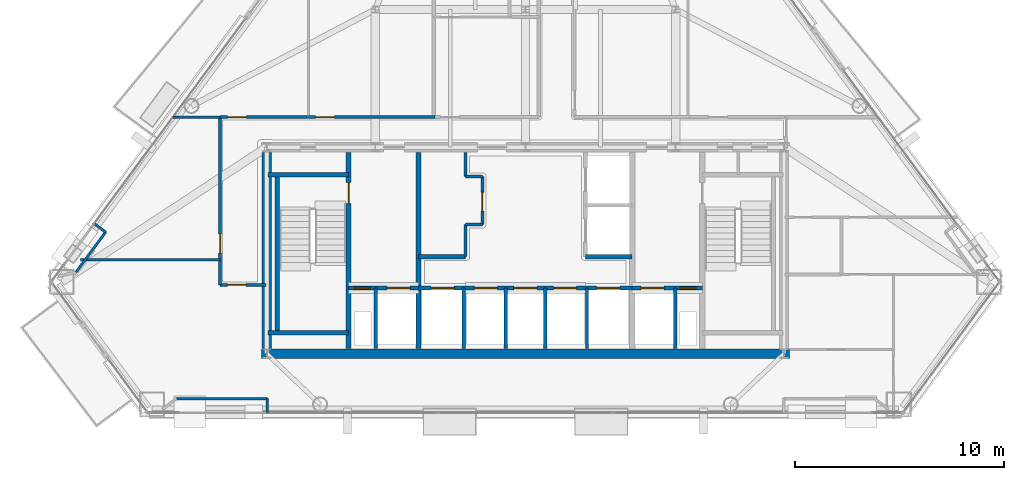
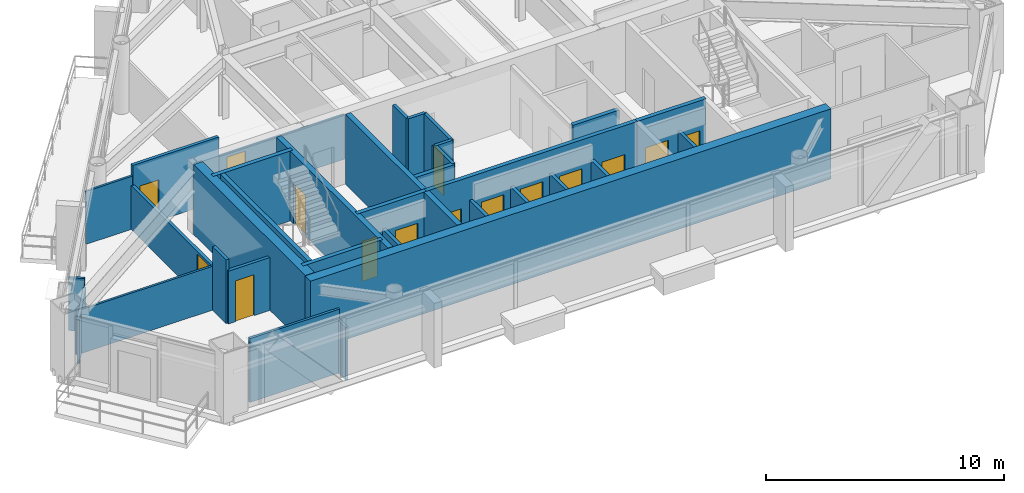
# One storey, part 8 of 12: 34 walls, 15 doors, 15 openings.
"""IFC4 building model written with IfcOpenShell, lengths in metres."""

from ifc_helpers import new_model, si_unit, direction, frame, frame_2d, origin, place, context, subcontext, project, spatial, rectangle, extrude, material, layer, layer_set, type_object, element, fill, save


model = new_model("IFC4")

# Units and contexts
model_context = context("Model", 3, precision=1e-05, world=origin(), true_north=direction((0.0, 1.0)))
body_context = subcontext(model_context, "Body", "Model", "MODEL_VIEW")
ifc_project = project(units=[si_unit("LENGTHUNIT", "METRE"), si_unit("AREAUNIT", "SQUARE_METRE"), si_unit("VOLUMEUNIT", "CUBIC_METRE"), si_unit("PLANEANGLEUNIT", "RADIAN"), si_unit("MASSUNIT", "GRAM", prefix="KILO")], contexts=[model_context])

# Site, building, storey
site_placement = place(None, origin())
site = spatial("IfcSite", under=ifc_project, at=site_placement, CompositionType="ELEMENT")
building_placement = place(site_placement, origin())
building = spatial("IfcBuilding", under=site, at=building_placement, Name="Talgorran Terracotta Tower", CompositionType="ELEMENT")
storey_placement = place(building_placement, frame((0.0, 0.0, 165.300048828125)))
storey = spatial("IfcBuildingStorey", under=building, at=storey_placement, Name="L43", CompositionType="ELEMENT", Elevation=165.300048828125)

# Walls
ifc_material_1 = material(Name="Concrete C50/60", Category="concrete")
ifc_layer_1 = layer(ifc_material_1, 0.199951171875, Name="WT_CORE_200")
ifc_layer_set_1 = layer_set([ifc_layer_1], Name="Concrete C50/60")
wall_type_1 = type_object("IfcWallType", Name="WT_CORE_200", PredefinedType="SOLIDWALL", material=ifc_layer_set_1)
for number, where, z_axis, x_axis, name in (
    (1, (-12.35009765625, -5.52001953125, 0.0), (0.0, 0.0, 1.0), (1.0, 0.0, 0.0), "WL-L43-CW-ST1-N"),
    (2, (-12.35009765625, -13.10009765625, 0.0), (0.0, 0.0, 1.0), (1.0, 0.0, 0.0), "WL-L43-CW-ST1-S"),
):
    element("IfcWall", number, at=place(storey_placement, frame(where, z_axis=z_axis, x_axis=x_axis)), inside=storey, type_object=wall_type_1, Name=name, PredefinedType="SOLIDWALL", context=body_context, shape_type="SweptSolid", body=[
        extrude(rectangle(XDim=3.8701171875, YDim=0.199951171875, at=frame_2d((1.93505859375, 0.0))), origin(), (0.0, 0.0, 1.0), 3.599853515625),
    ])
wall_1_placement = place(storey_placement, frame((-11.89990234375, -13.10009765625, 0.0), z_axis=(0.0, 0.0, 1.0), x_axis=(0.0, 1.0, 0.0)))
element("IfcWall", 3, at=wall_1_placement, inside=storey, type_object=wall_type_1, Name="WL-L43-CW-ST1-W", PredefinedType="SOLIDWALL", context=body_context, shape_type="SweptSolid", body=[
    extrude(rectangle(XDim=7.580078125, YDim=0.199951171875, at=frame_2d((3.7900390625, 0.0))), origin(), (0.0, 0.0, 1.0), 3.599853515625),
])

# Wall, openings, doors
wall_2_placement = place(storey_placement, frame((-8.47998046875, -10.949951171875, 0.0), z_axis=(0.0, 0.0, 1.0), x_axis=(1.0, 0.0, 0.0)))
wall_2 = element("IfcWall", 4, at=wall_2_placement, inside=storey, type_object=wall_type_1, Name="WL-L43-CW-H-SBW", PredefinedType="SOLIDWALL", context=body_context, shape_type="SweptSolid", body=[
    extrude(rectangle(XDim=3.35986328125, YDim=0.199951171875, at=frame_2d((1.679931640625, 0.0))), origin(), (0.0, 0.0, 1.0), 3.599853515625),
])
opening_1_placement = place(wall_2_placement, frame((0.280029296875, 0.0, 0.0)))
opening_1 = element("IfcOpeningElement", 5, at=opening_1_placement, cuts=wall_2, Name="Opening DR-RSW", PredefinedType="OPENING", context=body_context, shape_type="SweptSolid", body=[
    extrude(rectangle(XDim=0.756, YDim=2.054048828125, at=frame_2d((0.375, 1.027099609375))), frame((0.0, 0.10986328125, 0.0), z_axis=(0.0, -1.0, 0.0), x_axis=(1.0, 0.0, 0.0)), (0.0, 0.0, 1.0), 0.219970703125),
])
opening_2_placement = place(wall_2_placement, frame((1.85009765625, 0.0, 0.0)))
opening_2 = element("IfcOpeningElement", 6, at=opening_2_placement, cuts=wall_2, Name="Opening LD-FFL1", PredefinedType="OPENING", context=body_context, shape_type="SweptSolid", body=[
    extrude(rectangle(XDim=1.10609765625, YDim=2.10409765625, at=frame_2d((0.550048828125, 1.052001953125))), frame((0.0, 0.10986328125, 0.0), z_axis=(0.0, -1.0, 0.0), x_axis=(1.0, 0.0, 0.0)), (0.0, 0.0, 1.0), 0.219970703125),
])
ifc_material_2 = material(Name="Brushed Stainless Steel Grade 304", Category="steel")
door_type_1 = type_object("IfcDoorType", Name="DT_LIFT_LD1100", OperationType="DOUBLE_DOOR_SLIDING", PredefinedType="DOOR", material=ifc_material_2)
door_1_placement = place(opening_2_placement, origin())
door_1 = element("IfcDoor", 7, at=door_1_placement, inside=storey, type_object=door_type_1, Name="L43 Lift Landing Door LD-FFL1", OperationType="DOUBLE_DOOR_SLIDING", OverallHeight=2.10009765625, OverallWidth=1.10009765625, PredefinedType="DOOR", context=body_context, shape_type="SweptSolid", body=[
    extrude(rectangle(XDim=1.10009765625, YDim=2.10009765625, at=frame_2d((0.550048828125, 1.050048828125))), frame((0.0, 0.02490234375, 0.0), z_axis=(0.0, -1.0, 0.0), x_axis=(1.0, 0.0, 0.0)), (0.0, 0.0, 1.0), 0.050048828125),
])
fill(opening_2, door_1)
ifc_material_3 = material(Name="Fire-Rated Pressed Steel", Category="steel")
door_type_2 = type_object("IfcDoorType", Name="DT_RISER_750", OperationType="NOTDEFINED", PredefinedType="DOOR", material=ifc_material_3)
door_2_placement = place(opening_1_placement, origin())
door_2 = element("IfcDoor", 8, at=door_2_placement, inside=storey, type_object=door_type_2, Name="DR-RSW", OperationType="SINGLE_SWING_LEFT", OverallHeight=2.050048828125, OverallWidth=0.75, PredefinedType="DOOR", context=body_context, shape_type="SweptSolid", body=[
    extrude(rectangle(XDim=0.75, YDim=2.050048828125, at=frame_2d((0.375, 1.02490234375))), frame((0.0, 0.02490234375, 0.0), z_axis=(0.0, -1.0, 0.0), x_axis=(1.0, 0.0, 0.0)), (0.0, 0.0, 1.0), 0.050048828125),
])
fill(opening_1, door_2)

wall_3_placement = place(storey_placement, frame((-5.1201171875, -10.949951171875, 0.0), z_axis=(0.0, 0.0, 1.0), x_axis=(1.0, 0.0, 0.0)))
wall_3 = element("IfcWall", 9, at=wall_3_placement, inside=storey, type_object=wall_type_1, Name="WL-L43-CW-H-SBC", PredefinedType="SOLIDWALL", context=body_context, shape_type="SweptSolid", body=[
    extrude(rectangle(XDim=10.240234375, YDim=0.199951171875, at=frame_2d((5.1201171875, 0.0))), origin(), (0.0, 0.0, 1.0), 3.599853515625),
])
opening_3_placement = place(wall_3_placement, frame((0.60009765625, 0.0, 0.0)))
opening_3 = element("IfcOpeningElement", 10, at=opening_3_placement, cuts=wall_3, Name="Opening LD-OB1", PredefinedType="OPENING", context=body_context, shape_type="SweptSolid", body=[
    extrude(rectangle(XDim=1.10609765625, YDim=2.10409765625, at=frame_2d((0.550048828125, 1.052001953125))), frame((0.0, 0.10986328125, 0.0), z_axis=(0.0, -1.0, 0.0), x_axis=(1.0, 0.0, 0.0)), (0.0, 0.0, 1.0), 0.219970703125),
])
opening_4_placement = place(wall_3_placement, frame((2.669921875, 0.0, 0.0)))
opening_4 = element("IfcOpeningElement", 11, at=opening_4_placement, cuts=wall_3, Name="Opening LD-PLH1", PredefinedType="OPENING", context=body_context, shape_type="SweptSolid", body=[
    extrude(rectangle(XDim=1.10609765625, YDim=2.10409765625, at=frame_2d((0.550048828125, 1.052001953125))), frame((0.0, 0.10986328125, 0.0), z_axis=(0.0, -1.0, 0.0), x_axis=(1.0, 0.0, 0.0)), (0.0, 0.0, 1.0), 0.219970703125),
])
opening_5_placement = place(wall_3_placement, frame((4.570068359375, 0.0, 0.0)))
opening_5 = element("IfcOpeningElement", 12, at=opening_5_placement, cuts=wall_3, Name="Opening LD-PLH2", PredefinedType="OPENING", context=body_context, shape_type="SweptSolid", body=[
    extrude(rectangle(XDim=1.10609765625, YDim=2.10409765625, at=frame_2d((0.550048828125, 1.052001953125))), frame((0.0, 0.10986328125, 0.0), z_axis=(0.0, -1.0, 0.0), x_axis=(1.0, 0.0, 0.0)), (0.0, 0.0, 1.0), 0.219970703125),
])
opening_6_placement = place(wall_3_placement, frame((6.469970703125, 0.0, 0.0)))
opening_6 = element("IfcOpeningElement", 13, at=opening_6_placement, cuts=wall_3, Name="Opening LD-PLH3", PredefinedType="OPENING", context=body_context, shape_type="SweptSolid", body=[
    extrude(rectangle(XDim=1.10609765625, YDim=2.10409765625, at=frame_2d((0.550048828125, 1.052001953125))), frame((0.0, 0.10986328125, 0.0), z_axis=(0.0, -1.0, 0.0), x_axis=(1.0, 0.0, 0.0)), (0.0, 0.0, 1.0), 0.219970703125),
])
opening_7_placement = place(wall_3_placement, frame((8.5400390625, 0.0, 0.0)))
opening_7 = element("IfcOpeningElement", 14, at=opening_7_placement, cuts=wall_3, Name="Opening LD-SVL1", PredefinedType="OPENING", context=body_context, shape_type="SweptSolid", body=[
    extrude(rectangle(XDim=1.10609765625, YDim=2.10409765625, at=frame_2d((0.550048828125, 1.052001953125))), frame((0.0, 0.10986328125, 0.0), z_axis=(0.0, -1.0, 0.0), x_axis=(1.0, 0.0, 0.0)), (0.0, 0.0, 1.0), 0.219970703125),
])
door_3_placement = place(opening_3_placement, origin())
door_3 = element("IfcDoor", 15, at=door_3_placement, inside=storey, type_object=door_type_1, Name="L43 Lift Landing Door LD-OB1", OperationType="DOUBLE_DOOR_SLIDING", OverallHeight=2.10009765625, OverallWidth=1.10009765625, PredefinedType="DOOR", context=body_context, shape_type="SweptSolid", body=[
    extrude(rectangle(XDim=1.10009765625, YDim=2.10009765625, at=frame_2d((0.550048828125, 1.050048828125))), frame((0.0, 0.02490234375, 0.0), z_axis=(0.0, -1.0, 0.0), x_axis=(1.0, 0.0, 0.0)), (0.0, 0.0, 1.0), 0.050048828125),
])
fill(opening_3, door_3)
door_4_placement = place(opening_4_placement, origin())
door_4 = element("IfcDoor", 16, at=door_4_placement, inside=storey, type_object=door_type_1, Name="L43 Lift Landing Door LD-PLH1", OperationType="DOUBLE_DOOR_SLIDING", OverallHeight=2.10009765625, OverallWidth=1.10009765625, PredefinedType="DOOR", context=body_context, shape_type="SweptSolid", body=[
    extrude(rectangle(XDim=1.10009765625, YDim=2.10009765625, at=frame_2d((0.550048828125, 1.050048828125))), frame((0.0, 0.02490234375, 0.0), z_axis=(0.0, -1.0, 0.0), x_axis=(1.0, 0.0, 0.0)), (0.0, 0.0, 1.0), 0.050048828125),
])
fill(opening_4, door_4)
door_5_placement = place(opening_5_placement, origin())
door_5 = element("IfcDoor", 17, at=door_5_placement, inside=storey, type_object=door_type_1, Name="L43 Lift Landing Door LD-PLH2", OperationType="DOUBLE_DOOR_SLIDING", OverallHeight=2.10009765625, OverallWidth=1.10009765625, PredefinedType="DOOR", context=body_context, shape_type="SweptSolid", body=[
    extrude(rectangle(XDim=1.10009765625, YDim=2.10009765625, at=frame_2d((0.550048828125, 1.050048828125))), frame((0.0, 0.02490234375, 0.0), z_axis=(0.0, -1.0, 0.0), x_axis=(1.0, 0.0, 0.0)), (0.0, 0.0, 1.0), 0.050048828125),
])
fill(opening_5, door_5)
door_6_placement = place(opening_6_placement, origin())
door_6 = element("IfcDoor", 18, at=door_6_placement, inside=storey, type_object=door_type_1, Name="L43 Lift Landing Door LD-PLH3", OperationType="DOUBLE_DOOR_SLIDING", OverallHeight=2.10009765625, OverallWidth=1.10009765625, PredefinedType="DOOR", context=body_context, shape_type="SweptSolid", body=[
    extrude(rectangle(XDim=1.10009765625, YDim=2.10009765625, at=frame_2d((0.550048828125, 1.050048828125))), frame((0.0, 0.02490234375, 0.0), z_axis=(0.0, -1.0, 0.0), x_axis=(1.0, 0.0, 0.0)), (0.0, 0.0, 1.0), 0.050048828125),
])
fill(opening_6, door_6)
door_7_placement = place(opening_7_placement, origin())
door_7 = element("IfcDoor", 19, at=door_7_placement, inside=storey, type_object=door_type_1, Name="L43 Lift Landing Door LD-SVL1", OperationType="DOUBLE_DOOR_SLIDING", OverallHeight=2.10009765625, OverallWidth=1.10009765625, PredefinedType="DOOR", context=body_context, shape_type="SweptSolid", body=[
    extrude(rectangle(XDim=1.10009765625, YDim=2.10009765625, at=frame_2d((0.550048828125, 1.050048828125))), frame((0.0, 0.02490234375, 0.0), z_axis=(0.0, -1.0, 0.0), x_axis=(1.0, 0.0, 0.0)), (0.0, 0.0, 1.0), 0.050048828125),
])
fill(opening_7, door_7)

wall_4_placement = place(storey_placement, frame((5.1201171875, -10.949951171875, 0.0), z_axis=(0.0, 0.0, 1.0), x_axis=(1.0, 0.0, 0.0)))
wall_4 = element("IfcWall", 20, at=wall_4_placement, inside=storey, type_object=wall_type_1, Name="WL-L43-CW-H-SBE", PredefinedType="SOLIDWALL", context=body_context, shape_type="SweptSolid", body=[
    extrude(rectangle(XDim=3.35986328125, YDim=0.199951171875, at=frame_2d((1.679931640625, 0.0))), origin(), (0.0, 0.0, 1.0), 3.599853515625),
])
opening_8_placement = place(wall_4_placement, frame((0.419921875, 0.0, 0.0)))
opening_8 = element("IfcOpeningElement", 21, at=opening_8_placement, cuts=wall_4, Name="Opening LD-FFL2", PredefinedType="OPENING", context=body_context, shape_type="SweptSolid", body=[
    extrude(rectangle(XDim=1.10609765625, YDim=2.10409765625, at=frame_2d((0.550048828125, 1.052001953125))), frame((0.0, 0.10986328125, 0.0), z_axis=(0.0, -1.0, 0.0), x_axis=(1.0, 0.0, 0.0)), (0.0, 0.0, 1.0), 0.219970703125),
])
opening_9_placement = place(wall_4_placement, frame((2.300048828125, 0.0, 0.0)))
opening_9 = element("IfcOpeningElement", 22, at=opening_9_placement, cuts=wall_4, Name="Opening DR-RSE", PredefinedType="OPENING", context=body_context, shape_type="SweptSolid", body=[
    extrude(rectangle(XDim=0.756, YDim=2.054048828125, at=frame_2d((0.375, 1.027099609375))), frame((0.0, 0.10986328125, 0.0), z_axis=(0.0, -1.0, 0.0), x_axis=(1.0, 0.0, 0.0)), (0.0, 0.0, 1.0), 0.219970703125),
])
door_8_placement = place(opening_8_placement, origin())
door_8 = element("IfcDoor", 23, at=door_8_placement, inside=storey, type_object=door_type_1, Name="L43 Lift Landing Door LD-FFL2", OperationType="DOUBLE_DOOR_SLIDING", OverallHeight=2.10009765625, OverallWidth=1.10009765625, PredefinedType="DOOR", context=body_context, shape_type="SweptSolid", body=[
    extrude(rectangle(XDim=1.10009765625, YDim=2.10009765625, at=frame_2d((0.550048828125, 1.050048828125))), frame((0.0, 0.02490234375, 0.0), z_axis=(0.0, -1.0, 0.0), x_axis=(1.0, 0.0, 0.0)), (0.0, 0.0, 1.0), 0.050048828125),
])
fill(opening_8, door_8)
door_9_placement = place(opening_9_placement, origin())
door_9 = element("IfcDoor", 24, at=door_9_placement, inside=storey, type_object=door_type_2, Name="DR-RSE", OperationType="SINGLE_SWING_RIGHT", OverallHeight=2.050048828125, OverallWidth=0.75, PredefinedType="DOOR", context=body_context, shape_type="SweptSolid", body=[
    extrude(rectangle(XDim=0.75, YDim=2.050048828125, at=frame_2d((0.375, 1.02490234375))), frame((0.0, 0.02490234375, 0.0), z_axis=(0.0, -1.0, 0.0), x_axis=(1.0, 0.0, 0.0)), (0.0, 0.0, 1.0), 0.050048828125),
])
fill(opening_9, door_9)

# Walls
for number, where, z_axis, x_axis, name in (
    (25, (-5.1201171875, -9.449951171875, 0.0), (0.0, 0.0, 1.0), (1.0, 0.0, 0.0), "WL-L43-CW-H-W4"),
    (26, (2.8798828125, -9.449951171875, 0.0), (0.0, 0.0, 1.0), (1.0, 0.0, 0.0), "WL-L43-CW-H-E4"),
):
    element("IfcWall", number, at=place(storey_placement, frame(where, z_axis=z_axis, x_axis=x_axis)), inside=storey, type_object=wall_type_1, Name=name, PredefinedType="SOLIDWALL", context=body_context, shape_type="SweptSolid", body=[
        extrude(rectangle(XDim=2.240234375, YDim=0.199951171875, at=frame_2d((1.1201171875, 0.0))), origin(), (0.0, 0.0, 1.0), 3.280029296875),
    ])

# Wall, opening, door
ifc_layer_2 = layer(ifc_material_1, 0.25, Name="WT_CORE_250")
ifc_layer_set_2 = layer_set([ifc_layer_2], Name="Concrete C50/60")
wall_type_2 = type_object("IfcWallType", Name="WT_CORE_250", PredefinedType="SHEAR", material=ifc_layer_set_2)
wall_5_placement = place(storey_placement, frame((-8.47998046875, -13.85009765625, 0.0), z_axis=(0.0, 0.0, 1.0), x_axis=(0.0, 1.0, 0.0)))
wall_5 = element("IfcWall", 27, at=wall_5_placement, inside=storey, type_object=wall_type_2, Name="WL-L43-CW-V-W1", PredefinedType="SHEAR", context=body_context, shape_type="SweptSolid", body=[
    extrude(rectangle(XDim=9.400146484375, YDim=0.25, at=frame_2d((4.7001953125, 0.0))), origin(), (0.0, 0.0, 1.0), 3.599853515625),
])
opening_10_placement = place(wall_5_placement, frame((6.949951171875, 0.0, 0.0)))
opening_10 = element("IfcOpeningElement", 28, at=opening_10_placement, cuts=wall_5, Name="Opening DR-ST01", PredefinedType="OPENING", context=body_context, shape_type="SweptSolid", body=[
    extrude(rectangle(XDim=1.006, YDim=2.10409765625, at=frame_2d((0.5, 1.052001953125))), frame((0.0, 0.135009765625, 0.0), z_axis=(0.0, -1.0, 0.0), x_axis=(1.0, 0.0, 0.0)), (0.0, 0.0, 1.0), 0.27001953125),
])
door_type_3 = type_object("IfcDoorType", Name="DT_FIRE_1000", OperationType="NOTDEFINED", PredefinedType="DOOR", material=ifc_material_3)
door_10_placement = place(opening_10_placement, origin())
door_10 = element("IfcDoor", 29, at=door_10_placement, inside=storey, type_object=door_type_3, Name="DR-ST01", OperationType="SINGLE_SWING_LEFT", OverallHeight=2.10009765625, OverallWidth=1.0, PredefinedType="DOOR", context=body_context, shape_type="SweptSolid", body=[
    extrude(rectangle(XDim=1.0, YDim=2.10009765625, at=frame_2d((0.5, 1.050048828125))), frame((0.0, 0.02490234375, 0.0), z_axis=(0.0, -1.0, 0.0), x_axis=(1.0, 0.0, 0.0)), (0.0, 0.0, 1.0), 0.050048828125),
])
fill(opening_10, door_10)

# Walls
wall_6_placement = place(storey_placement, frame((-5.1201171875, -13.85009765625, 0.0), z_axis=(0.0, 0.0, 1.0), x_axis=(0.0, 1.0, 0.0)))
element("IfcWall", 30, at=wall_6_placement, inside=storey, type_object=wall_type_2, Name="WL-L43-CW-V-W2", PredefinedType="SHEAR", context=body_context, shape_type="SweptSolid", body=[
    extrude(rectangle(XDim=9.400146484375, YDim=0.25, at=frame_2d((4.7001953125, 0.0))), origin(), (0.0, 0.0, 1.0), 3.599853515625),
])
ifc_material_4 = material(Name="Concrete C65/80", Category="concrete")
ifc_layer_3 = layer(ifc_material_4, 0.449951171875, Name="WT_CORE_EXT")
ifc_layer_set_3 = layer_set([ifc_layer_3], Name="Concrete C65/80")
wall_type_3 = type_object("IfcWallType", Name="WT_CORE_EXT", PredefinedType="SHEAR", material=ifc_layer_set_3)
wall_7_placement = place(storey_placement, frame((-12.64990234375, -14.10009765625, 0.0), z_axis=(0.0, 0.0, 1.0), x_axis=(1.0, 0.0, 0.0)))
element("IfcWall", 31, at=wall_7_placement, inside=storey, type_object=wall_type_3, Name="WL-L43-CW-OUT-S", PredefinedType="SHEAR", context=body_context, shape_type="SweptSolid", body=[
    extrude(rectangle(XDim=25.2998046875, YDim=0.449951171875, at=frame_2d((12.64990234375, 0.0))), origin(), (0.0, 0.0, 1.0), 3.599853515625),
])
wall_8_placement = place(storey_placement, frame((-12.39990234375, -13.85009765625, 0.0), z_axis=(0.0, 0.0, 1.0), x_axis=(0.0, 1.0, 0.0)))
element("IfcWall", 32, at=wall_8_placement, inside=storey, type_object=wall_type_3, Name="WL-L43-CW-OUT-W", PredefinedType="SHEAR", context=body_context, shape_type="SweptSolid", body=[
    extrude(rectangle(XDim=9.400146484375, YDim=0.449951171875, at=frame_2d((4.7001953125, 0.0))), origin(), (0.0, 0.0, 1.0), 3.599853515625),
])
ifc_material_5 = material(Name="Fire-Rated Steel Stud Plasterboard", Category="steel")
ifc_layer_4 = layer(ifc_material_5, 0.14990234375, Name="WT_FIRE_150")
ifc_layer_set_4 = layer_set([ifc_layer_4], Name="Fire-Rated Steel Stud Plasterboard")
wall_type_4 = type_object("IfcWallType", Name="WT_FIRE_150", PredefinedType="PARTITIONING", material=ifc_layer_set_4)
wall_9_placement = place(storey_placement, frame((-2.8798828125, -9.449951171875, 0.0), z_axis=(0.0, 0.0, 1.0), x_axis=(0.0, 1.0, 0.0)))
element("IfcWall", 33, at=wall_9_placement, inside=storey, type_object=wall_type_4, Name="WL-L43-CW-V-W3A", PredefinedType="PARTITIONING", context=body_context, shape_type="SweptSolid", body=[
    extrude(rectangle(XDim=1.550048828125, YDim=0.14990234375, at=frame_2d((0.77490234375, 0.0))), origin(), (0.0, 0.0, 1.0), 3.280029296875),
])
wall_10_placement = place(storey_placement, frame((-2.8798828125, -7.89990234375, 0.0), z_axis=(0.0, 0.0, 1.0), x_axis=(1.0, 0.0, 0.0)))
element("IfcWall", 34, at=wall_10_placement, inside=storey, type_object=wall_type_4, Name="WL-L43-CW-H-W3B", PredefinedType="PARTITIONING", context=body_context, shape_type="SweptSolid", body=[
    extrude(rectangle(XDim=0.81982421875, YDim=0.14990234375, at=frame_2d((0.409912109375, 0.0))), origin(), (0.0, 0.0, 1.0), 3.280029296875),
])

# Wall, opening, door
wall_11_placement = place(storey_placement, frame((-2.06005859375, -7.89990234375, 0.0), z_axis=(0.0, 0.0, 1.0), x_axis=(0.0, 1.0, 0.0)))
wall_11 = element("IfcWall", 35, at=wall_11_placement, inside=storey, type_object=wall_type_4, Name="WL-L43-CW-V-W3C", PredefinedType="PARTITIONING", context=body_context, shape_type="SweptSolid", body=[
    extrude(rectangle(XDim=2.2998046875, YDim=0.14990234375, at=frame_2d((1.14990234375, 0.0))), origin(), (0.0, 0.0, 1.0), 3.280029296875),
])
opening_11_placement = place(wall_11_placement, frame((0.64990234375, 0.0, 0.0)))
opening_11 = element("IfcOpeningElement", 36, at=opening_11_placement, cuts=wall_11, Name="Opening DR-FRPLL-B", PredefinedType="OPENING", context=body_context, shape_type="SweptSolid", body=[
    extrude(rectangle(XDim=0.8858828125, YDim=2.10409765625, at=frame_2d((0.43994140625, 1.052001953125))), frame((0.0, 0.0849609375, 0.0), z_axis=(0.0, -1.0, 0.0), x_axis=(1.0, 0.0, 0.0)), (0.0, 0.0, 1.0), 0.169921875),
])
ifc_material_6 = material(Name="Solid-Core Painted Timber", Category="wood")
door_type_4 = type_object("IfcDoorType", Name="DT_INT_880", OperationType="NOTDEFINED", PredefinedType="DOOR", material=ifc_material_6)
door_11_placement = place(opening_11_placement, origin())
door_11 = element("IfcDoor", 37, at=door_11_placement, inside=storey, type_object=door_type_4, Name="DR-FRPLL-B", OperationType="SINGLE_SWING_LEFT", OverallHeight=2.10009765625, OverallWidth=0.8798828125, PredefinedType="DOOR", context=body_context, shape_type="SweptSolid", body=[
    extrude(rectangle(XDim=0.8798828125, YDim=2.10009765625, at=frame_2d((0.43994140625, 1.050048828125))), frame((0.0, 0.02490234375, 0.0), z_axis=(0.0, -1.0, 0.0), x_axis=(1.0, 0.0, 0.0)), (0.0, 0.0, 1.0), 0.050048828125),
])
fill(opening_11, door_11)

# Walls
wall_12_placement = place(storey_placement, frame((-2.8798828125, -5.60009765625, 0.0), z_axis=(0.0, 0.0, 1.0), x_axis=(1.0, 0.0, 0.0)))
element("IfcWall", 38, at=wall_12_placement, inside=storey, type_object=wall_type_4, Name="WL-L43-CW-H-W3D", PredefinedType="PARTITIONING", context=body_context, shape_type="SweptSolid", body=[
    extrude(rectangle(XDim=0.81982421875, YDim=0.14990234375, at=frame_2d((0.409912109375, 0.0))), origin(), (0.0, 0.0, 1.0), 3.280029296875),
])
wall_13_placement = place(storey_placement, frame((-2.8798828125, -5.60009765625, 0.0), z_axis=(0.0, 0.0, 1.0), x_axis=(0.0, 1.0, 0.0)))
element("IfcWall", 39, at=wall_13_placement, inside=storey, type_object=wall_type_4, Name="WL-L43-CW-V-W3E", PredefinedType="PARTITIONING", context=body_context, shape_type="SweptSolid", body=[
    extrude(rectangle(XDim=1.150146484375, YDim=0.14990234375, at=frame_2d((0.5751953125, 0.0))), origin(), (0.0, 0.0, 1.0), 3.280029296875),
])

# Wall, opening, door
wall_14_placement = place(storey_placement, frame((-14.639892578125, -9.659912109375, 0.0), z_axis=(0.0, 0.0, 1.0), x_axis=(0.0, 1.0, 0.0)))
wall_14 = element("IfcWall", 40, at=wall_14_placement, inside=storey, type_object=wall_type_4, Name="WL-L43-W-L43-R01", PredefinedType="PARTITIONING", context=body_context, shape_type="SweptSolid", body=[
    extrude(rectangle(XDim=6.89990234375, YDim=0.14990234375, at=frame_2d((3.449951171875, 0.0))), origin(), (0.0, 0.0, 1.0), 2.2548828125),
])
opening_12_placement = place(wall_14_placement, frame((0.398193359375, 0.0, 0.0)))
opening_12 = element("IfcOpeningElement", 41, at=opening_12_placement, cuts=wall_14, Name="Opening DR-L43-R01", PredefinedType="OPENING", context=body_context, shape_type="SweptSolid", body=[
    extrude(rectangle(XDim=0.90590234375, YDim=2.10409765625, at=frame_2d((0.449951171875, 1.052001953125))), frame((0.0, 0.0849609375, 0.0), z_axis=(0.0, -1.0, 0.0), x_axis=(1.0, 0.0, 0.0)), (0.0, 0.0, 1.0), 0.169921875),
])
ifc_material_7 = material(Name="Fire-Rated Timber Core", Category="wood")
door_type_5 = type_object("IfcDoorType", Name="DT_FIRE_900", OperationType="NOTDEFINED", PredefinedType="DOOR", material=ifc_material_7)
door_12_placement = place(opening_12_placement, origin())
door_12 = element("IfcDoor", 42, at=door_12_placement, inside=storey, type_object=door_type_5, Name="DR-L43-R01", OperationType="SINGLE_SWING_LEFT", OverallHeight=2.10009765625, OverallWidth=0.89990234375, PredefinedType="DOOR", context=body_context, shape_type="SweptSolid", body=[
    extrude(rectangle(XDim=0.89990234375, YDim=2.10009765625, at=frame_2d((0.449951171875, 1.050048828125))), frame((0.0, 0.02490234375, 0.0), z_axis=(0.0, -1.0, 0.0), x_axis=(1.0, 0.0, 0.0)), (0.0, 0.0, 1.0), 0.050048828125),
])
fill(opening_12, door_12)

wall_15_placement = place(storey_placement, frame((-10.4599609375, -2.760009765625, 0.0), z_axis=(0.0, 0.0, 1.0), x_axis=(1.0, 0.0, 0.0)))
wall_15 = element("IfcWall", 43, at=wall_15_placement, inside=storey, type_object=wall_type_4, Name="WL-L43-W-L43-R06", PredefinedType="PARTITIONING", context=body_context, shape_type="SweptSolid", body=[
    extrude(rectangle(XDim=6.119873046875, YDim=0.14990234375, at=frame_2d((3.06005859375, 0.0))), origin(), (0.0, 0.0, 1.0), 2.2548828125),
])
opening_13_placement = place(wall_15_placement, frame((0.39892578125, 0.0, 0.0)))
opening_13 = element("IfcOpeningElement", 44, at=opening_13_placement, cuts=wall_15, Name="Opening DR-L43-R09", PredefinedType="OPENING", context=body_context, shape_type="SweptSolid", body=[
    extrude(rectangle(XDim=0.90590234375, YDim=2.10409765625, at=frame_2d((0.449951171875, 1.052001953125))), frame((0.0, 0.0849609375, 0.0), z_axis=(0.0, -1.0, 0.0), x_axis=(1.0, 0.0, 0.0)), (0.0, 0.0, 1.0), 0.169921875),
])
door_13_placement = place(opening_13_placement, origin())
door_13 = element("IfcDoor", 45, at=door_13_placement, inside=storey, type_object=door_type_5, Name="DR-L43-R09", OperationType="SINGLE_SWING_LEFT", OverallHeight=2.10009765625, OverallWidth=0.89990234375, PredefinedType="DOOR", context=body_context, shape_type="SweptSolid", body=[
    extrude(rectangle(XDim=0.89990234375, YDim=2.10009765625, at=frame_2d((0.449951171875, 1.050048828125))), frame((0.0, 0.02490234375, 0.0), z_axis=(0.0, -1.0, 0.0), x_axis=(1.0, 0.0, 0.0)), (0.0, 0.0, 1.0), 0.050048828125),
])
fill(opening_13, door_13)

wall_16_placement = place(storey_placement, frame((-14.639892578125, -2.760009765625, 0.0), z_axis=(0.0, 0.0, 1.0), x_axis=(1.0, 0.0, 0.0)))
wall_16 = element("IfcWall", 46, at=wall_16_placement, inside=storey, type_object=wall_type_4, Name="WL-L43-W-L43-R05", PredefinedType="PARTITIONING", context=body_context, shape_type="SweptSolid", body=[
    extrude(rectangle(XDim=4.177978515625, YDim=0.14990234375, at=frame_2d((2.0888671875, 0.0))), origin(), (0.0, 0.0, 1.0), 3.280029296875),
])
opening_14_placement = place(wall_16_placement, frame((0.35693359375, 0.0, 0.0)))
opening_14 = element("IfcOpeningElement", 47, at=opening_14_placement, cuts=wall_16, Name="Opening DR-L43-R08", PredefinedType="OPENING", context=body_context, shape_type="SweptSolid", body=[
    extrude(rectangle(XDim=0.90590234375, YDim=2.10409765625, at=frame_2d((0.449951171875, 1.052001953125))), frame((0.0, 0.0849609375, 0.0), z_axis=(0.0, -1.0, 0.0), x_axis=(1.0, 0.0, 0.0)), (0.0, 0.0, 1.0), 0.169921875),
])
door_14_placement = place(opening_14_placement, origin())
door_14 = element("IfcDoor", 48, at=door_14_placement, inside=storey, type_object=door_type_5, Name="DR-L43-R08", OperationType="SINGLE_SWING_RIGHT", OverallHeight=2.10009765625, OverallWidth=0.89990234375, PredefinedType="DOOR", context=body_context, shape_type="SweptSolid", body=[
    extrude(rectangle(XDim=0.89990234375, YDim=2.10009765625, at=frame_2d((0.449951171875, 1.050048828125))), frame((0.0, 0.02490234375, 0.0), z_axis=(0.0, -1.0, 0.0), x_axis=(1.0, 0.0, 0.0)), (0.0, 0.0, 1.0), 0.050048828125),
])
fill(opening_14, door_14)

wall_17_placement = place(storey_placement, frame((-14.639892578125, -10.800048828125, 0.0), z_axis=(0.0, 0.0, 1.0), x_axis=(1.0, 0.0, 0.0)))
wall_17 = element("IfcWall", 49, at=wall_17_placement, inside=storey, type_object=wall_type_4, Name="WL-L43-W-L43-R03", PredefinedType="PARTITIONING", context=body_context, shape_type="SweptSolid", body=[
    extrude(rectangle(XDim=2.199951171875, YDim=0.14990234375, at=frame_2d((1.10009765625, 0.0))), origin(), (0.0, 0.0, 1.0), 2.721923828125),
])
opening_15_placement = place(wall_17_placement, frame((0.3486328125, 0.0, 0.0)))
opening_15 = element("IfcOpeningElement", 50, at=opening_15_placement, cuts=wall_17, Name="Opening DR-L43-R02", PredefinedType="OPENING", context=body_context, shape_type="SweptSolid", body=[
    extrude(rectangle(XDim=0.90590234375, YDim=2.10409765625, at=frame_2d((0.449951171875, 1.052001953125))), frame((0.0, 0.0849609375, 0.0), z_axis=(0.0, -1.0, 0.0), x_axis=(1.0, 0.0, 0.0)), (0.0, 0.0, 1.0), 0.169921875),
])
door_15_placement = place(opening_15_placement, origin())
door_15 = element("IfcDoor", 51, at=door_15_placement, inside=storey, type_object=door_type_5, Name="DR-L43-R02", OperationType="SINGLE_SWING_RIGHT", OverallHeight=2.10009765625, OverallWidth=0.89990234375, PredefinedType="DOOR", context=body_context, shape_type="SweptSolid", body=[
    extrude(rectangle(XDim=0.89990234375, YDim=2.10009765625, at=frame_2d((0.449951171875, 1.050048828125))), frame((0.0, 0.02490234375, 0.0), z_axis=(0.0, -1.0, 0.0), x_axis=(1.0, 0.0, 0.0)), (0.0, 0.0, 1.0), 0.050048828125),
])
fill(opening_15, door_15)

# Walls
wall_18_placement = place(storey_placement, frame((-14.639892578125, -10.800048828125, 0.0), z_axis=(0.0, 0.0, 1.0), x_axis=(0.0, 1.0, 0.0)))
element("IfcWall", 52, at=wall_18_placement, inside=storey, type_object=wall_type_4, Name="WL-L43-W-L43-R02", PredefinedType="PARTITIONING", context=body_context, shape_type="SweptSolid", body=[
    extrude(rectangle(XDim=1.137939453125, YDim=0.14990234375, at=frame_2d((0.56884765625, 0.0))), origin(), (0.0, 0.0, 1.0), 3.280029296875),
])
ifc_material_8 = material(Name="Lightweight Steel Stud Partition", Category="steel")
ifc_layer_5 = layer(ifc_material_8, 0.10498046875, Name="WT_PART_110")
ifc_layer_set_5 = layer_set([ifc_layer_5], Name="Lightweight Steel Stud Partition")
wall_type_5 = type_object("IfcWallType", Name="WT_PART_110", PredefinedType="PARTITIONING", material=ifc_layer_set_5)
wall_19_placement = place(storey_placement, frame((-21.320068359375, -9.60009765625, 0.0), z_axis=(0.0, 0.0, 1.0), x_axis=(1.0, 0.0, 0.0)))
element("IfcWall", 53, at=wall_19_placement, inside=storey, type_object=wall_type_5, Name="WL-L43-W-L43-R17", PredefinedType="PARTITIONING", context=body_context, shape_type="SweptSolid", body=[
    extrude(rectangle(XDim=6.68017578125, YDim=0.10498046875, at=frame_2d((3.340087890625, 0.0))), origin(), (0.0, 0.0, 1.0), 2.2548828125),
])
wall_20_placement = place(storey_placement, frame((-16.9052734375, -2.760009765625, 0.0), z_axis=(0.0, 0.0, 1.0), x_axis=(1.0, 0.0, 0.0)))
element("IfcWall", 54, at=wall_20_placement, inside=storey, type_object=wall_type_5, Name="WL-L43-W-L43-R18", PredefinedType="PARTITIONING", context=body_context, shape_type="SweptSolid", body=[
    extrude(rectangle(XDim=2.265380859375, YDim=0.10498046875, at=frame_2d((1.1328125, 0.0))), origin(), (0.0, 0.0, 1.0), 2.721923828125),
])
ifc_material_9 = material(Name="Insulated Steel Stud Plasterboard", Category="steel")
ifc_layer_6 = layer(ifc_material_9, 0.1201171875, Name="WT_PART_120")
ifc_layer_set_6 = layer_set([ifc_layer_6], Name="Insulated Steel Stud Plasterboard")
wall_type_6 = type_object("IfcWallType", Name="WT_PART_120", PredefinedType="PARTITIONING", material=ifc_layer_set_6)
wall_21_placement = place(storey_placement, frame((-16.731201171875, -16.25, 0.0), z_axis=(0.0, 0.0, 1.0), x_axis=(1.0, 0.0, 0.0)))
element("IfcWall", 55, at=wall_21_placement, inside=storey, type_object=wall_type_6, Name="WL-L43-BW-L43-01", PredefinedType="PARTITIONING", context=body_context, shape_type="SweptSolid", body=[
    extrude(rectangle(XDim=4.353515625, YDim=0.1201171875, at=frame_2d((2.1767578125, 0.0))), origin(), (0.0, 0.0, 1.0), 3.280029296875),
])
wall_22_placement = place(storey_placement, frame((-20.126708984375, -8.2705078125, 0.0), z_axis=(0.0, 0.0, 1.0), x_axis=(-0.59379125041, -0.804619134086, 0.0)))
element("IfcWall", 56, at=wall_22_placement, inside=storey, type_object=wall_type_6, Name="WL-L43-BW-L43-08", PredefinedType="PARTITIONING", context=body_context, shape_type="SweptSolid", body=[
    extrude(rectangle(XDim=2.404052734375, YDim=0.1201171875, at=frame_2d((1.2021484375, 0.0))), origin(), (0.0, 0.0, 1.0), 2.2548828125),
])
for number, where, z_axis, x_axis, name in (
    (57, (-20.665771484375, -7.87255859375, 0.0), (0.0, 0.0, 1.0), (0.80452433553, -0.593919686102, 0.0), "WL-L43-BW-L43-07"),
    (58, (-12.377685546875, -16.25, 0.0), (0.0, 0.0, 1.0), (0.0, -1.0, 0.0), "WL-L43-BW-L43-02"),
):
    element("IfcWall", number, at=place(storey_placement, frame(where, z_axis=z_axis, x_axis=x_axis)), inside=storey, type_object=wall_type_6, Name=name, PredefinedType="PARTITIONING", context=body_context, shape_type="SweptSolid", body=[
        extrude(rectangle(XDim=0.669921875, YDim=0.1201171875, at=frame_2d((0.3349609375, 0.0))), origin(), (0.0, 0.0, 1.0), 2.721923828125),
    ])
ifc_material_10 = material(Name="Fire-Rated Shaftwall")
ifc_layer_7 = layer(ifc_material_10, 0.159912109375, Name="WT_PART_150")
ifc_layer_set_7 = layer_set([ifc_layer_7], Name="Fire-Rated Shaftwall")
wall_type_7 = type_object("IfcWallType", Name="WT_PART_150", PredefinedType="PARTITIONING", material=ifc_layer_set_7)
for number, where, z_axis, x_axis, name in (
    (59, (-7.179931640625, -13.85009765625, 0.0), (0.0, 0.0, 1.0), (0.0, 1.0, 0.0), "WL-L43-CW-RSW"),
    (60, (7.179931640625, -13.85009765625, 0.0), (0.0, 0.0, 1.0), (0.0, 1.0, 0.0), "WL-L43-CW-RSE"),
    (61, (-2.949951171875, -13.85009765625, 0.0), (0.0, 0.0, 1.0), (0.0, 1.0, 0.0), "WL-L43-CW-OB-E"),
    (62, (2.949951171875, -13.85009765625, 0.0), (0.0, 0.0, 1.0), (0.0, 1.0, 0.0), "WL-L43-CW-SV-W"),
    (63, (-0.949951171875, -13.85009765625, 0.0), (0.0, 0.0, 1.0), (0.0, 1.0, 0.0), "WL-L43-CW-PLH-D1"),
    (64, (0.949951171875, -13.85009765625, 0.0), (0.0, 0.0, 1.0), (0.0, 1.0, 0.0), "WL-L43-CW-PLH-D2"),
):
    element("IfcWall", number, at=place(storey_placement, frame(where, z_axis=z_axis, x_axis=x_axis)), inside=storey, type_object=wall_type_7, Name=name, PredefinedType="PARTITIONING", context=body_context, shape_type="SweptSolid", body=[
        extrude(rectangle(XDim=2.900146484375, YDim=0.159912109375, at=frame_2d((1.4501953125, 0.0))), origin(), (0.0, 0.0, 1.0), 2.405029296875),
    ])

save(model, "model.ifc")
